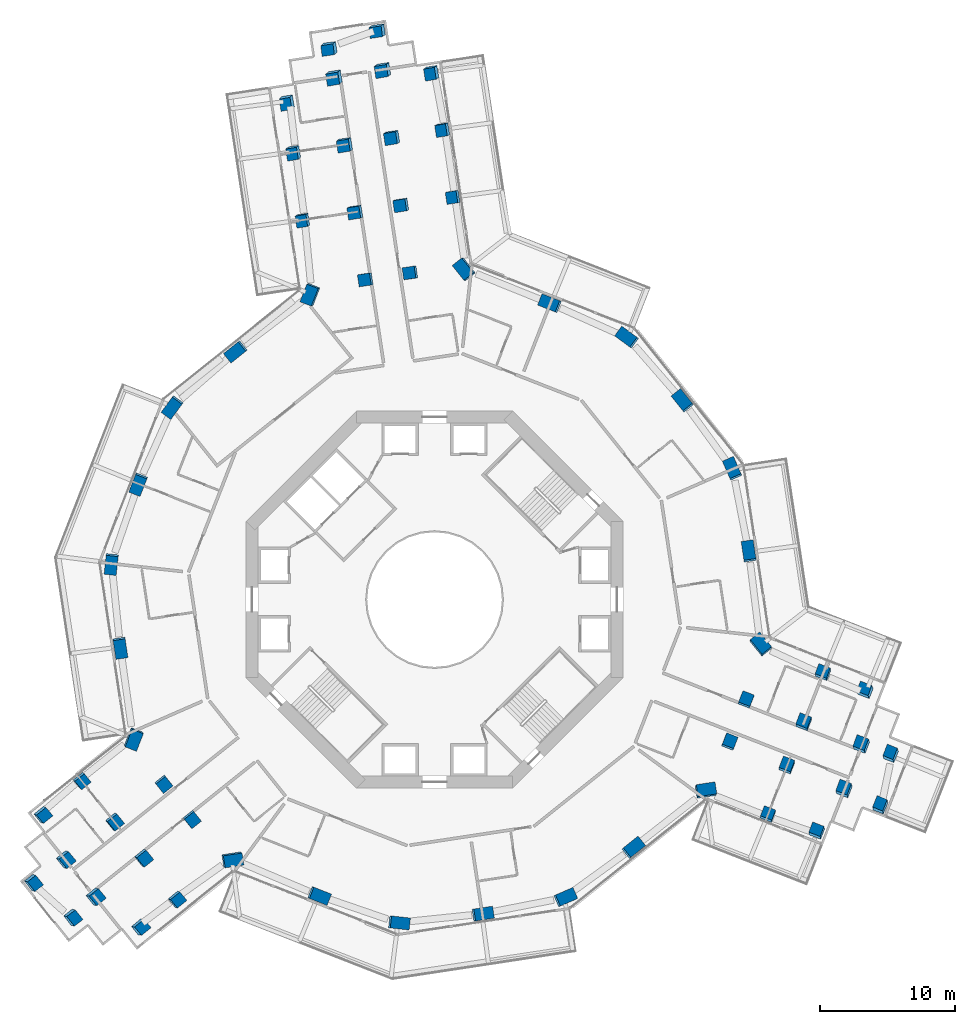
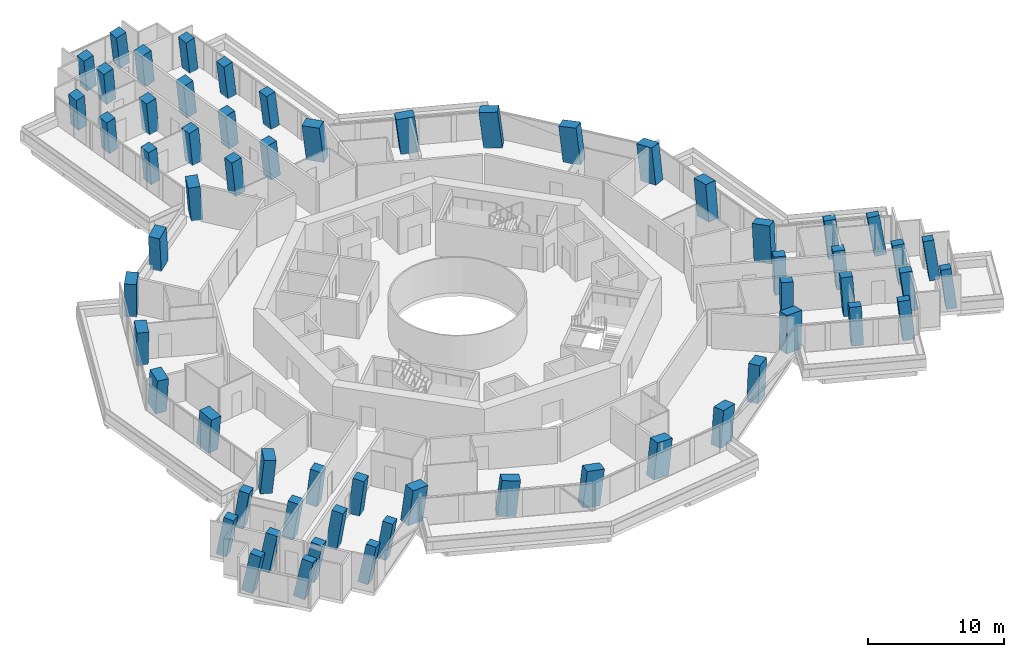
# One storey, part 1 of 28: 61 columns.
"""IFC4 building model written with IfcOpenShell, lengths in metres."""

from ifc_helpers import new_model, si_unit, direction, frame, origin, origin_2d, place, context, subcontext, project, spatial, rectangle, extrude, material, material_profile, profile_set, type_object, element, save


model = new_model("IFC4")

# Units and contexts
model_context = context("Model", 3, precision=1e-05, world=origin(), true_north=direction((0.0, 1.0)))
body_context = subcontext(model_context, "Body", "Model", "MODEL_VIEW")
ifc_project = project(units=[si_unit("LENGTHUNIT", "METRE"), si_unit("AREAUNIT", "SQUARE_METRE"), si_unit("VOLUMEUNIT", "CUBIC_METRE"), si_unit("PLANEANGLEUNIT", "RADIAN"), si_unit("MASSUNIT", "GRAM", prefix="KILO")], contexts=[model_context])

# Site, building, storey
site_placement = place(None, origin())
site = spatial("IfcSite", under=ifc_project, at=site_placement, CompositionType="ELEMENT")
building_placement = place(site_placement, origin())
building = spatial("IfcBuilding", under=site, at=building_placement, Name="Verdalira Terraces Hotel", CompositionType="ELEMENT")
storey_placement = place(building_placement, frame((0.0, 0.0, 68.0)))
storey = spatial("IfcBuildingStorey", under=building, at=storey_placement, Name="L15", CompositionType="ELEMENT", Elevation=68.0)

# Columns
ifc_material_1 = material(Name="Concrete C80", Category="concrete")
ifc_material_profile_1 = material_profile(ifc_material_1, rectangle(XDim=1.399902, YDim=0.899902, at=origin_2d()), Name="RC 1400X900")
ifc_profile_set_1 = profile_set([ifc_material_profile_1], Name="Concrete C80")
column_type_1 = type_object("IfcColumnType", Name="Column RC 1400X900 C80", PredefinedType="COLUMN", material=ifc_profile_set_1)
column_1_placement = place(storey_placement, frame((-9.188721, 22.661621, 0.0), z_axis=(-0.107334537, -0.044545353, 0.993224551), x_axis=(0.35692807, 0.930673053, 0.080312019)))
element("IfcColumn", 1, at=column_1_placement, inside=storey, type_object=column_type_1, Name="Column C07", PredefinedType="COLUMN", context=body_context, shape_type="SweptSolid", body=[
    extrude(rectangle(XDim=1.399902, YDim=0.899902, at=origin_2d()), origin(), (0.0, 0.0, 1.0), 3.21167),
])
column_2_placement = place(storey_placement, frame((-14.741699, 18.440186, 0.0), z_axis=(-0.087077907, -0.070879135, 0.993676802), x_axis=(-0.775945613, -0.620727709, -0.112274296)))
element("IfcColumn", 2, at=column_2_placement, inside=storey, type_object=column_type_1, Name="Column C08", PredefinedType="COLUMN", context=body_context, shape_type="SweptSolid", body=[
    extrude(rectangle(XDim=1.399902, YDim=0.899902, at=origin_2d()), origin(), (0.0, 0.0, 1.0), 3.210205),
])
column_3_placement = place(storey_placement, frame((-19.449219, 14.318115, 0.0), z_axis=(-0.067284962, -0.093058524, 0.99338454), x_axis=(0.588862787, 0.800033999, 0.114831255)))
element("IfcColumn", 3, at=column_3_placement, inside=storey, type_object=column_type_1, Name="Column C09", PredefinedType="COLUMN", context=body_context, shape_type="SweptSolid", body=[
    extrude(rectangle(XDim=1.399902, YDim=0.899902, at=origin_2d()), origin(), (0.0, 0.0, 1.0), 3.211182),
])
column_4_placement = place(storey_placement, frame((-21.986816, 8.598877, 0.0), z_axis=(-0.040002437, -0.104949359, 0.993672701), x_axis=(-0.361776799, -0.925474949, -0.112310579)))
element("IfcColumn", 4, at=column_4_placement, inside=storey, type_object=column_type_1, Name="Column C10", PredefinedType="COLUMN", context=body_context, shape_type="SweptSolid", body=[
    extrude(rectangle(XDim=1.399902, YDim=0.899902, at=origin_2d()), origin(), (0.0, 0.0, 1.0), 3.210205),
])
column_5_placement = place(storey_placement, frame((-24.002686, 2.675293, 0.0), z_axis=(-0.011708401, -0.11419492, 0.993389367), x_axis=(0.109706748, 0.987313425, 0.1147895)))
element("IfcColumn", 5, at=column_5_placement, inside=storey, type_object=column_type_1, Name="Column C11", PredefinedType="COLUMN", context=body_context, shape_type="SweptSolid", body=[
    extrude(rectangle(XDim=1.399902, YDim=0.899902, at=origin_2d()), origin(), (0.0, 0.0, 1.0), 3.211182),
])
column_6_placement = place(storey_placement, frame((-23.340332, -3.546631, 0.0), z_axis=(0.01779579, -0.110881458, 0.993674299), x_axis=(0.149132846, -0.982419922, -0.112296444)))
element("IfcColumn", 6, at=column_6_placement, inside=storey, type_object=column_type_1, Name="Column C12", PredefinedType="COLUMN", context=body_context, shape_type="SweptSolid", body=[
    extrude(rectangle(XDim=1.399902, YDim=0.899902, at=origin_2d()), origin(), (0.0, 0.0, 1.0), 3.210205),
])
column_7_placement = place(storey_placement, frame((-22.361328, -10.322754, 0.0), z_axis=(0.050013261, -0.105879139, 0.993120477), x_axis=(0.3690452, 0.925950511, 0.080132965)))
element("IfcColumn", 7, at=column_7_placement, inside=storey, type_object=column_type_1, Name="Column C13", PredefinedType="COLUMN", context=body_context, shape_type="SweptSolid", body=[
    extrude(rectangle(XDim=1.399902, YDim=0.899902, at=origin_2d()), origin(), (0.0, 0.0, 1.0), 3.212158),
])
column_8_placement = place(storey_placement, frame((-15.03125, -19.288574, 0.0), z_axis=(0.092283458, -0.07061889, 0.99322542), x_axis=(-0.984352018, -0.156849959, 0.080306883)))
element("IfcColumn", 8, at=column_8_placement, inside=storey, type_object=column_type_1, Name="Column C20", PredefinedType="COLUMN", context=body_context, shape_type="SweptSolid", body=[
    extrude(rectangle(XDim=1.399902, YDim=0.899902, at=origin_2d()), origin(), (0.0, 0.0, 1.0), 3.21167),
])
column_9_placement = place(storey_placement, frame((-8.598877, -21.986816, 0.0), z_axis=(0.104949359, -0.040002437, 0.993672701), x_axis=(0.925474949, -0.361776799, -0.112310579)))
element("IfcColumn", 9, at=column_9_placement, inside=storey, type_object=column_type_1, Name="Column C21", PredefinedType="COLUMN", context=body_context, shape_type="SweptSolid", body=[
    extrude(rectangle(XDim=1.399902, YDim=0.899902, at=origin_2d()), origin(), (0.0, 0.0, 1.0), 3.210205),
])
column_10_placement = place(storey_placement, frame((-2.675293, -24.002686, 0.0), z_axis=(0.11419492, -0.011708401, 0.993389367), x_axis=(-0.987313425, 0.109706748, 0.1147895)))
element("IfcColumn", 10, at=column_10_placement, inside=storey, type_object=column_type_1, Name="Column C22", PredefinedType="COLUMN", context=body_context, shape_type="SweptSolid", body=[
    extrude(rectangle(XDim=1.399902, YDim=0.899902, at=origin_2d()), origin(), (0.0, 0.0, 1.0), 3.211182),
])
column_11_placement = place(storey_placement, frame((3.546631, -23.340332, 0.0), z_axis=(0.110881458, 0.01779579, 0.993674299), x_axis=(0.982419922, 0.149132846, -0.112296444)))
element("IfcColumn", 11, at=column_11_placement, inside=storey, type_object=column_type_1, Name="Column C23", PredefinedType="COLUMN", context=body_context, shape_type="SweptSolid", body=[
    extrude(rectangle(XDim=1.399902, YDim=0.899902, at=origin_2d()), origin(), (0.0, 0.0, 1.0), 3.210205),
])
column_12_placement = place(storey_placement, frame((9.684326, -22.124512, 0.0), z_axis=(0.104842615, 0.046909277, 0.993381873), x_axis=(-0.910169761, -0.397994334, 0.114854325)))
element("IfcColumn", 12, at=column_12_placement, inside=storey, type_object=column_type_1, Name="Column C24", PredefinedType="COLUMN", context=body_context, shape_type="SweptSolid", body=[
    extrude(rectangle(XDim=1.399902, YDim=0.899902, at=origin_2d()), origin(), (0.0, 0.0, 1.0), 3.211182),
])
column_13_placement = place(storey_placement, frame((14.741699, -18.440186, 0.0), z_axis=(0.087077907, 0.070879135, 0.993676802), x_axis=(0.775945613, 0.620727709, -0.112274296)))
element("IfcColumn", 13, at=column_13_placement, inside=storey, type_object=column_type_1, Name="Column C25", PredefinedType="COLUMN", context=body_context, shape_type="SweptSolid", body=[
    extrude(rectangle(XDim=1.399902, YDim=0.899902, at=origin_2d()), origin(), (0.0, 0.0, 1.0), 3.210205),
])
column_14_placement = place(storey_placement, frame((20.120605, -14.204102, 0.0), z_axis=(0.066659307, 0.096226548, 0.99312486), x_axis=(-0.986410674, -0.143446042, 0.08010752)))
element("IfcColumn", 14, at=column_14_placement, inside=storey, type_object=column_type_1, Name="Column C26", PredefinedType="COLUMN", context=body_context, shape_type="SweptSolid", body=[
    extrude(rectangle(XDim=1.399902, YDim=0.899902, at=origin_2d()), origin(), (0.0, 0.0, 1.0), 3.211914),
])
column_15_placement = place(storey_placement, frame((24.219971, -3.373291, 0.0), z_axis=(0.015051015, 0.115315096, 0.993214929), x_axis=(0.627855861, -0.774169148, 0.08036883)))
element("IfcColumn", 15, at=column_15_placement, inside=storey, type_object=column_type_1, Name="Column C33", PredefinedType="COLUMN", context=body_context, shape_type="SweptSolid", body=[
    extrude(rectangle(XDim=1.399902, YDim=0.899902, at=origin_2d()), origin(), (0.0, 0.0, 1.0), 3.21167),
])
column_16_placement = place(storey_placement, frame((23.340332, 3.546631, 0.0), z_axis=(-0.01779579, 0.110881458, 0.993674299), x_axis=(-0.149132846, 0.982419922, -0.112296444)))
element("IfcColumn", 16, at=column_16_placement, inside=storey, type_object=column_type_1, Name="Column C34", PredefinedType="COLUMN", context=body_context, shape_type="SweptSolid", body=[
    extrude(rectangle(XDim=1.399902, YDim=0.899902, at=origin_2d()), origin(), (0.0, 0.0, 1.0), 3.210205),
])
column_17_placement = place(storey_placement, frame((22.124512, 9.684326, 0.0), z_axis=(-0.046909277, 0.104842615, 0.993381873), x_axis=(0.397994334, -0.910169761, 0.114854325)))
element("IfcColumn", 17, at=column_17_placement, inside=storey, type_object=column_type_1, Name="Column C35", PredefinedType="COLUMN", context=body_context, shape_type="SweptSolid", body=[
    extrude(rectangle(XDim=1.399902, YDim=0.899902, at=origin_2d()), origin(), (0.0, 0.0, 1.0), 3.211182),
])
column_18_placement = place(storey_placement, frame((18.440186, 14.741699, 0.0), z_axis=(-0.070879135, 0.087077907, 0.993676802), x_axis=(-0.620727709, 0.775945613, -0.112274296)))
element("IfcColumn", 18, at=column_18_placement, inside=storey, type_object=column_type_1, Name="Column C36", PredefinedType="COLUMN", context=body_context, shape_type="SweptSolid", body=[
    extrude(rectangle(XDim=1.399902, YDim=0.899902, at=origin_2d()), origin(), (0.0, 0.0, 1.0), 3.210205),
])
column_19_placement = place(storey_placement, frame((14.318115, 19.449219, 0.0), z_axis=(-0.093058524, 0.067284962, 0.99338454), x_axis=(0.800033999, -0.588862787, 0.114831255)))
element("IfcColumn", 19, at=column_19_placement, inside=storey, type_object=column_type_1, Name="Column C37", PredefinedType="COLUMN", context=body_context, shape_type="SweptSolid", body=[
    extrude(rectangle(XDim=1.399902, YDim=0.899902, at=origin_2d()), origin(), (0.0, 0.0, 1.0), 3.211182),
])
column_20_placement = place(storey_placement, frame((8.598877, 21.986816, 0.0), z_axis=(-0.104949359, 0.040002437, 0.993672701), x_axis=(-0.925474949, 0.361776799, -0.112310579)))
element("IfcColumn", 20, at=column_20_placement, inside=storey, type_object=column_type_1, Name="Column C38", PredefinedType="COLUMN", context=body_context, shape_type="SweptSolid", body=[
    extrude(rectangle(XDim=1.399902, YDim=0.899902, at=origin_2d()), origin(), (0.0, 0.0, 1.0), 3.210205),
])
column_21_placement = place(storey_placement, frame((2.240967, 24.526855, 0.0), z_axis=(-0.116747517, 0.00972896, 0.993113974), x_axis=(0.616715127, -0.783093296, 0.080170701)))
element("IfcColumn", 21, at=column_21_placement, inside=storey, type_object=column_type_1, Name="Column C39", PredefinedType="COLUMN", context=body_context, shape_type="SweptSolid", body=[
    extrude(rectangle(XDim=1.399902, YDim=0.899902, at=origin_2d()), origin(), (0.0, 0.0, 1.0), 3.212158),
])
ifc_material_2 = material(Name="Concrete C80", Category="concrete")
ifc_material_profile_2 = material_profile(ifc_material_2, rectangle(XDim=0.899902, YDim=0.800049, at=origin_2d()), Name="RC 900X800")
ifc_profile_set_2 = profile_set([ifc_material_profile_2], Name="Concrete C80")
column_type_2 = type_object("IfcColumnType", Name="Column RC 900X800 C80", PredefinedType="COLUMN", material=ifc_profile_set_2)
column_22_placement = place(storey_placement, frame((1.425781, 29.891113, 0.0), z_axis=(-0.13520716, -0.033347057, 0.990256026), x_axis=(-0.152178078, 0.988274013, 0.012502286)))
element("IfcColumn", 22, at=column_22_placement, inside=storey, type_object=column_type_2, Name="Column C01", PredefinedType="COLUMN", context=body_context, shape_type="SweptSolid", body=[
    extrude(rectangle(XDim=0.899902, YDim=0.800049, at=origin_2d()), origin(), (0.0, 0.0, 1.0), 3.221436),
])
column_23_placement = place(storey_placement, frame((0.662598, 34.912598, 0.0), z_axis=(-0.15161007, -0.075654179, 0.985540883), x_axis=(-0.158514591, 0.986022718, 0.051306173)))
element("IfcColumn", 23, at=column_23_placement, inside=storey, type_object=column_type_2, Name="Column C02", PredefinedType="COLUMN", context=body_context, shape_type="SweptSolid", body=[
    extrude(rectangle(XDim=0.899902, YDim=0.800049, at=origin_2d()), origin(), (0.0, 0.0, 1.0), 3.236816),
])
column_24_placement = place(storey_placement, frame((-0.144287, 39.158936, 0.0), z_axis=(-0.164084546, -0.117610165, 0.979410083), x_axis=(-0.166101117, 0.981984673, 0.090091735)))
element("IfcColumn", 24, at=column_24_placement, inside=storey, type_object=column_type_2, Name="Column C03", PredefinedType="COLUMN", context=body_context, shape_type="SweptSolid", body=[
    extrude(rectangle(XDim=0.899902, YDim=0.800049, at=origin_2d()), origin(), (0.0, 0.0, 1.0), 3.25708),
])
column_25_placement = place(storey_placement, frame((-10.878906, 36.981689, 0.0), z_axis=(-0.152679539, -0.166918695, 0.974077567), x_axis=(0.173524746, -0.974848982, -0.13985215)))
element("IfcColumn", 25, at=column_25_placement, inside=storey, type_object=column_type_2, Name="Column C04", PredefinedType="COLUMN", context=body_context, shape_type="SweptSolid", body=[
    extrude(rectangle(XDim=0.899902, YDim=0.800049, at=origin_2d()), origin(), (0.0, 0.0, 1.0), 3.274902),
])
column_26_placement = place(storey_placement, frame((-10.410156, 33.22998, 0.0), z_axis=(-0.142658539, -0.127258328, 0.981556855), x_axis=(0.166014543, -0.98072706, -0.10302235)))
element("IfcColumn", 26, at=column_26_placement, inside=storey, type_object=column_type_2, Name="Column C05", PredefinedType="COLUMN", context=body_context, shape_type="SweptSolid", body=[
    extrude(rectangle(XDim=0.899902, YDim=0.800049, at=origin_2d()), origin(), (0.0, 0.0, 1.0), 3.25),
])
column_27_placement = place(storey_placement, frame((-9.736084, 28.195068, 0.0), z_axis=(-0.126460455, -0.085996135, 0.988237025), x_axis=(0.158944012, -0.985120062, -0.065385514)))
element("IfcColumn", 27, at=column_27_placement, inside=storey, type_object=column_type_2, Name="Column C06", PredefinedType="COLUMN", context=body_context, shape_type="SweptSolid", body=[
    extrude(rectangle(XDim=0.899902, YDim=0.800049, at=origin_2d()), origin(), (0.0, 0.0, 1.0), 3.228027),
])
column_28_placement = place(storey_placement, frame((-26.239746, -13.42334, 0.0), z_axis=(0.110262755, -0.086088309, 0.990167121), x_axis=(-0.777649425, -0.627882884, 0.032007114)))
element("IfcColumn", 28, at=column_28_placement, inside=storey, type_object=column_type_2, Name="Column C14", PredefinedType="COLUMN", context=body_context, shape_type="SweptSolid", body=[
    extrude(rectangle(XDim=0.899902, YDim=0.800049, at=origin_2d()), origin(), (0.0, 0.0, 1.0), 3.22168),
])
column_29_placement = place(storey_placement, frame((-29.153809, -15.958008, 0.0), z_axis=(0.16689349, -0.061756616, 0.984038964), x_axis=(-0.768941928, -0.632852681, 0.090696167)))
element("IfcColumn", 29, at=column_29_placement, inside=storey, type_object=column_type_2, Name="Column C15", PredefinedType="COLUMN", context=body_context, shape_type="SweptSolid", body=[
    extrude(rectangle(XDim=0.899902, YDim=0.800049, at=origin_2d()), origin(), (0.0, 0.0, 1.0), 3.241699),
])
column_30_placement = place(storey_placement, frame((-29.872559, -21.000488, 0.0), z_axis=(0.189847482, -0.0647071, 0.979678991), x_axis=(0.600886102, -0.781468029, -0.168058359)))
element("IfcColumn", 30, at=column_30_placement, inside=storey, type_object=column_type_2, Name="Column C16", PredefinedType="COLUMN", context=body_context, shape_type="SweptSolid", body=[
    extrude(rectangle(XDim=0.899902, YDim=0.800049, at=origin_2d()), origin(), (0.0, 0.0, 1.0), 3.256104),
])
column_31_placement = place(storey_placement, frame((-26.959229, -23.587646, 0.0), z_axis=(0.201531638, -0.050832088, 0.978162102), x_axis=(0.599328586, -0.783482681, -0.164195415)))
element("IfcColumn", 31, at=column_31_placement, inside=storey, type_object=column_type_2, Name="Column C17", PredefinedType="COLUMN", context=body_context, shape_type="SweptSolid", body=[
    extrude(rectangle(XDim=0.899902, YDim=0.800049, at=origin_2d()), origin(), (0.0, 0.0, 1.0), 3.26123),
])
column_32_placement = place(storey_placement, frame((-21.916504, -24.306396, 0.0), z_axis=(0.204734062, -0.027183052, 0.978440108), x_axis=(0.759579122, 0.634880958, -0.141300132)))
element("IfcColumn", 32, at=column_32_placement, inside=storey, type_object=column_type_2, Name="Column C18", PredefinedType="COLUMN", context=body_context, shape_type="SweptSolid", body=[
    extrude(rectangle(XDim=0.899902, YDim=0.800049, at=origin_2d()), origin(), (0.0, 0.0, 1.0), 3.260254),
])
column_33_placement = place(storey_placement, frame((-19.183594, -22.249512, 0.0), z_axis=(0.151321869, -0.0522034, 0.987105109), x_axis=(0.771016771, 0.631141107, -0.084817701)))
element("IfcColumn", 33, at=column_33_placement, inside=storey, type_object=column_type_2, Name="Column C19", PredefinedType="COLUMN", context=body_context, shape_type="SweptSolid", body=[
    extrude(rectangle(XDim=0.899902, YDim=0.800049, at=origin_2d()), origin(), (0.0, 0.0, 1.0), 3.231689),
])
column_34_placement = place(storey_placement, frame((24.744873, -16.012695, 0.0), z_axis=(0.019475958, 0.138529383, 0.990166803), x_axis=(0.932451299, -0.359875098, 0.03200763)))
element("IfcColumn", 34, at=column_34_placement, inside=storey, type_object=column_type_2, Name="Column C27", PredefinedType="COLUMN", context=body_context, shape_type="SweptSolid", body=[
    extrude(rectangle(XDim=0.899902, YDim=0.800049, at=origin_2d()), origin(), (0.0, 0.0, 1.0), 3.22168),
])
column_35_placement = place(storey_placement, frame((28.396973, -17.269043, 0.0), z_axis=(-0.029974588, 0.175404058, 0.984040111), x_axis=(0.93256089, -0.349435227, 0.090692934)))
element("IfcColumn", 35, at=column_35_placement, inside=storey, type_object=column_type_2, Name="Column C28", PredefinedType="COLUMN", context=body_context, shape_type="SweptSolid", body=[
    extrude(rectangle(XDim=0.899902, YDim=0.800049, at=origin_2d()), origin(), (0.0, 0.0, 1.0), 3.241699),
])
column_36_placement = place(storey_placement, frame((33.123291, -15.370117, 0.0), z_axis=(-0.038914351, 0.196746158, 0.979681899), x_axis=(0.376182433, 0.911178998, -0.168046457)))
element("IfcColumn", 36, at=column_36_placement, inside=storey, type_object=column_type_2, Name="Column C29", PredefinedType="COLUMN", context=body_context, shape_type="SweptSolid", body=[
    extrude(rectangle(XDim=0.899902, YDim=0.800049, at=origin_2d()), origin(), (0.0, 0.0, 1.0), 3.256104),
])
column_37_placement = place(storey_placement, frame((33.907227, -11.553467, 0.0), z_axis=(-0.056746135, 0.199959007, 0.978159635), x_axis=(0.378856578, 0.910771402, -0.164204587)))
element("IfcColumn", 37, at=column_37_placement, inside=storey, type_object=column_type_2, Name="Column C30", PredefinedType="COLUMN", context=body_context, shape_type="SweptSolid", body=[
    extrude(rectangle(XDim=0.899902, YDim=0.800049, at=origin_2d()), origin(), (0.0, 0.0, 1.0), 3.26123),
])
column_38_placement = place(storey_placement, frame((32.008301, -6.827148, 0.0), z_axis=(-0.078852259, 0.190952764, 0.978426984), x_axis=(-0.929614011, 0.34035282, -0.141342664)))
element("IfcColumn", 38, at=column_38_placement, inside=storey, type_object=column_type_2, Name="Column C31", PredefinedType="COLUMN", context=body_context, shape_type="SweptSolid", body=[
    extrude(rectangle(XDim=0.899902, YDim=0.800049, at=origin_2d()), origin(), (0.0, 0.0, 1.0), 3.260254),
])
column_39_placement = place(storey_placement, frame((28.860596, -5.48877, 0.0), z_axis=(-0.030445747, 0.15713934, 0.987107028), x_axis=(-0.932085044, 0.352171112, -0.084811433)))
element("IfcColumn", 39, at=column_39_placement, inside=storey, type_object=column_type_2, Name="Column C32", PredefinedType="COLUMN", context=body_context, shape_type="SweptSolid", body=[
    extrude(rectangle(XDim=0.899902, YDim=0.800049, at=origin_2d()), origin(), (0.0, 0.0, 1.0), 3.231689),
])
column_40_placement = place(storey_placement, frame((-4.1521, 42.30249, 0.0), z_axis=(-0.177759072, -0.135836874, 0.974653813), x_axis=(-0.972656429, -0.126182341, -0.194980737)))
element("IfcColumn", 40, at=column_40_placement, inside=storey, type_object=column_type_2, Name="Column C40", PredefinedType="COLUMN", context=body_context, shape_type="SweptSolid", body=[
    extrude(rectangle(XDim=0.899902, YDim=0.800049, at=origin_2d()), origin(), (0.0, 0.0, 1.0), 3.272949),
])
column_41_placement = place(storey_placement, frame((-7.735352, 40.989258, 0.0), z_axis=(-0.171342284, -0.152271143, 0.973373166), x_axis=(-0.973904016, -0.123078782, -0.19068975)))
element("IfcColumn", 41, at=column_41_placement, inside=storey, type_object=column_type_2, Name="Column C41", PredefinedType="COLUMN", context=body_context, shape_type="SweptSolid", body=[
    extrude(rectangle(XDim=0.899902, YDim=0.800049, at=origin_2d()), origin(), (0.0, 0.0, 1.0), 3.2771),
])
ifc_material_3 = material(Name="Concrete C80", Category="concrete")
ifc_material_profile_3 = material_profile(ifc_material_3, rectangle(XDim=0.899902, YDim=0.899902, at=origin_2d()), Name="RC 900X900")
ifc_profile_set_3 = profile_set([ifc_material_profile_3], Name="Concrete C80")
column_type_3 = type_object("IfcColumnType", Name="Column RC 900X900 C80", PredefinedType="COLUMN", material=ifc_profile_set_3)
for number, where, z_axis, x_axis, name in (
    (42, (-1.759521, 24.269287, 0.0), (-0.1153232, -0.009274509, 0.993284724), (-0.148804876, 0.988833862, -0.008043722), "Column C42"),
    (43, (-5.077881, 23.765137, 0.0), (-0.112741101, -0.025087366, 0.99330764), (-0.151194482, 0.988473225, 0.007804588), "Column C43"),
):
    element("IfcColumn", number, at=place(storey_placement, frame(where, z_axis=z_axis, x_axis=x_axis)), inside=storey, type_object=column_type_3, Name=name, PredefinedType="COLUMN", context=body_context, shape_type="SweptSolid", body=[
        extrude(rectangle(XDim=0.899902, YDim=0.899902, at=origin_2d()), origin(), (0.0, 0.0, 1.0), 3.211426),
    ])
column_42_placement = place(storey_placement, frame((-2.427979, 29.30542, 0.0), z_axis=(-0.132201605, -0.051516958, 0.989883194), x_axis=(-0.154308616, 0.987542922, 0.030786825)))
element("IfcColumn", 44, at=column_42_placement, inside=storey, type_object=column_type_3, Name="Column C44", PredefinedType="COLUMN", context=body_context, shape_type="SweptSolid", body=[
    extrude(rectangle(XDim=0.899902, YDim=0.899902, at=origin_2d()), origin(), (0.0, 0.0, 1.0), 3.222656),
])
column_43_placement = place(storey_placement, frame((-5.84082, 28.786865, 0.0), z_axis=(-0.129544243, -0.067687056, 0.98926071), x_axis=(-0.156761028, 0.986518959, 0.046971516)))
element("IfcColumn", 45, at=column_43_placement, inside=storey, type_object=column_type_3, Name="Column C45", PredefinedType="COLUMN", context=body_context, shape_type="SweptSolid", body=[
    extrude(rectangle(XDim=0.899902, YDim=0.899902, at=origin_2d()), origin(), (0.0, 0.0, 1.0), 3.224609),
])
column_44_placement = place(storey_placement, frame((-3.096436, 34.341553, 0.0), z_axis=(-0.148658938, -0.093279151, 0.984479314), x_axis=(-0.161106511, 0.984525146, 0.068955991)))
element("IfcColumn", 46, at=column_44_placement, inside=storey, type_object=column_type_3, Name="Column C46", PredefinedType="COLUMN", context=body_context, shape_type="SweptSolid", body=[
    extrude(rectangle(XDim=0.899902, YDim=0.899902, at=origin_2d()), origin(), (0.0, 0.0, 1.0), 3.240234),
])
column_45_placement = place(storey_placement, frame((-6.60376, 33.808594, 0.0), z_axis=(-0.14583427, -0.109639077, 0.98321495), x_axis=(-0.163460081, 0.982850749, 0.085353429)))
element("IfcColumn", 47, at=column_45_placement, inside=storey, type_object=column_type_3, Name="Column C47", PredefinedType="COLUMN", context=body_context, shape_type="SweptSolid", body=[
    extrude(rectangle(XDim=0.899902, YDim=0.899902, at=origin_2d()), origin(), (0.0, 0.0, 1.0), 3.244385),
])
column_46_placement = place(storey_placement, frame((-3.764893, 39.377441, 0.0), z_axis=(-0.164608531, -0.134244576, 0.977180856), x_axis=(-0.168918924, 0.979895845, 0.10616275)))
element("IfcColumn", 48, at=column_46_placement, inside=storey, type_object=column_type_3, Name="Column C48", PredefinedType="COLUMN", context=body_context, shape_type="SweptSolid", body=[
    extrude(rectangle(XDim=0.899902, YDim=0.899902, at=origin_2d()), origin(), (0.0, 0.0, 1.0), 3.264404),
])
column_47_placement = place(storey_placement, frame((-7.366943, 38.830078, 0.0), z_axis=(-0.161526881, -0.150778327, 0.975281991), x_axis=(-0.171853009, 0.977457402, 0.12265223)))
element("IfcColumn", 49, at=column_47_placement, inside=storey, type_object=column_type_3, Name="Column C49", PredefinedType="COLUMN", context=body_context, shape_type="SweptSolid", body=[
    extrude(rectangle(XDim=0.899902, YDim=0.899902, at=origin_2d()), origin(), (0.0, 0.0, 1.0), 3.270752),
])
for number, where, z_axis, x_axis, name in (
    (50, (-20.138184, -13.658447, 0.0), (0.065757875, -0.095177872, 0.993285998), (-0.781490806, -0.623864914, -0.008042961), "Column C50"),
    (51, (-18.04248, -16.280029, 0.0), (0.078150269, -0.085144262, 0.993299044), (-0.780419975, -0.625206904, 0.007809582), "Column C51"),
):
    element("IfcColumn", number, at=place(storey_placement, frame(where, z_axis=z_axis, x_axis=x_axis)), inside=storey, type_object=column_type_3, Name=name, PredefinedType="COLUMN", context=body_context, shape_type="SweptSolid", body=[
        extrude(rectangle(XDim=0.899902, YDim=0.899902, at=origin_2d()), origin(), (0.0, 0.0, 1.0), 3.211426),
    ])
column_48_placement = place(storey_placement, frame((-23.804199, -16.469971, 0.0), z_axis=(0.124492802, -0.074362489, 0.989430019), x_axis=(-0.775519287, -0.629318459, 0.050280344)))
element("IfcColumn", 52, at=column_48_placement, inside=storey, type_object=column_type_3, Name="Column C52", PredefinedType="COLUMN", context=body_context, shape_type="SweptSolid", body=[
    extrude(rectangle(XDim=0.899902, YDim=0.899902, at=origin_2d()), origin(), (0.0, 0.0, 1.0), 3.224121),
])
column_49_placement = place(storey_placement, frame((-21.650146, -19.164307, 0.0), z_axis=(0.137009368, -0.064078926, 0.988494979), x_axis=(-0.773770141, -0.629975817, 0.066409629)))
element("IfcColumn", 53, at=column_49_placement, inside=storey, type_object=column_type_3, Name="Column C53", PredefinedType="COLUMN", context=body_context, shape_type="SweptSolid", body=[
    extrude(rectangle(XDim=0.899902, YDim=0.899902, at=origin_2d()), origin(), (0.0, 0.0, 1.0), 3.227051),
])
column_50_placement = place(storey_placement, frame((-27.470215, -19.28125, 0.0), z_axis=(0.182145236, -0.053576548, 0.981810912), x_axis=(-0.765694633, -0.634166533, 0.107445511)))
element("IfcColumn", 54, at=column_50_placement, inside=storey, type_object=column_type_3, Name="Column C54", PredefinedType="COLUMN", context=body_context, shape_type="SweptSolid", body=[
    extrude(rectangle(XDim=0.899902, YDim=0.899902, at=origin_2d()), origin(), (0.0, 0.0, 1.0), 3.249023),
])
column_51_placement = place(storey_placement, frame((-25.257812, -22.04834, 0.0), z_axis=(0.194549513, -0.043049892, 0.979947546), x_axis=(-0.762916272, -0.634575106, 0.123584777)))
element("IfcColumn", 55, at=column_51_placement, inside=storey, type_object=column_type_3, Name="Column C55", PredefinedType="COLUMN", context=body_context, shape_type="SweptSolid", body=[
    extrude(rectangle(XDim=0.899902, YDim=0.899902, at=origin_2d()), origin(), (0.0, 0.0, 1.0), 3.255127),
])
for number, where, z_axis, x_axis, name in (
    (56, (21.897705, -10.611084, 0.0), (0.049565473, 0.104528413, 0.993285998), (0.930965582, -0.365018351, -0.008042961), "Column C56"),
    (57, (23.120117, -7.485107, 0.0), (0.034665953, 0.110231649, 0.993301191), (0.931623603, -0.363340739, 0.007808335), "Column C57"),
):
    element("IfcColumn", number, at=place(storey_placement, frame(where, z_axis=z_axis, x_axis=x_axis)), inside=storey, type_object=column_type_3, Name=name, PredefinedType="COLUMN", context=body_context, shape_type="SweptSolid", body=[
        extrude(rectangle(XDim=0.899902, YDim=0.899902, at=origin_2d()), origin(), (0.0, 0.0, 1.0), 3.211426),
    ])
column_52_placement = place(storey_placement, frame((26.165283, -12.380127, 0.0), z_axis=(0.00227176, 0.145013983, 0.989426998), x_axis=(0.932474538, -0.35771833, 0.050287492)))
element("IfcColumn", 58, at=column_52_placement, inside=storey, type_object=column_type_3, Name="Column C58", PredefinedType="COLUMN", context=body_context, shape_type="SweptSolid", body=[
    extrude(rectangle(XDim=0.899902, YDim=0.899902, at=origin_2d()), origin(), (0.0, 0.0, 1.0), 3.224121),
])
column_53_placement = place(storey_placement, frame((27.421875, -9.16748, 0.0), z_axis=(-0.013088107, 0.150702368, 0.988492538), x_axis=(0.932639071, -0.354645167, 0.066416633)))
element("IfcColumn", 59, at=column_53_placement, inside=storey, type_object=column_type_3, Name="Column C59", PredefinedType="COLUMN", context=body_context, shape_type="SweptSolid", body=[
    extrude(rectangle(XDim=0.899902, YDim=0.899902, at=origin_2d()), origin(), (0.0, 0.0, 1.0), 3.227051),
])
column_54_placement = place(storey_placement, frame((30.433105, -14.14917, 0.0), z_axis=(-0.04463514, 0.184476882, 0.981822787), x_axis=(0.932007495, -0.34615742, 0.107410755)))
element("IfcColumn", 60, at=column_54_placement, inside=storey, type_object=column_type_3, Name="Column C60", PredefinedType="COLUMN", context=body_context, shape_type="SweptSolid", body=[
    extrude(rectangle(XDim=0.899902, YDim=0.899902, at=origin_2d()), origin(), (0.0, 0.0, 1.0), 3.249023),
])
column_55_placement = place(storey_placement, frame((31.723389, -10.849854, 0.0), z_axis=(-0.05999937, 0.190048004, 0.979939708), x_axis=(0.931006357, -0.343435667, 0.123608684)))
element("IfcColumn", 61, at=column_55_placement, inside=storey, type_object=column_type_3, Name="Column C61", PredefinedType="COLUMN", context=body_context, shape_type="SweptSolid", body=[
    extrude(rectangle(XDim=0.899902, YDim=0.899902, at=origin_2d()), origin(), (0.0, 0.0, 1.0), 3.255127),
])

save(model, "model.ifc")
